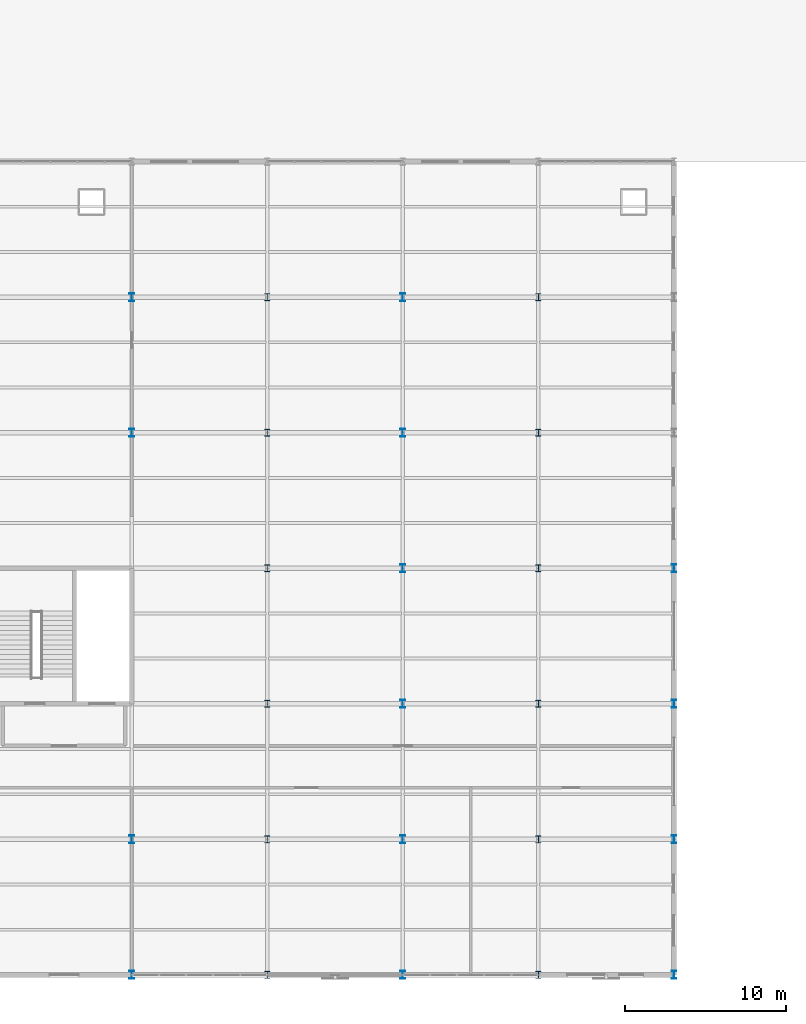
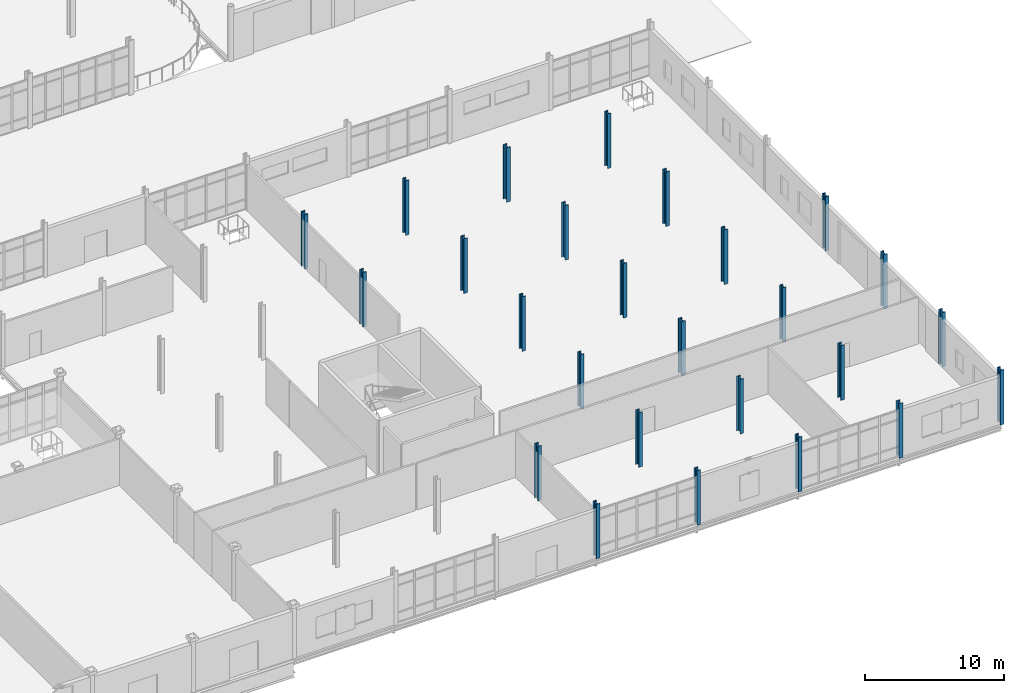
# One storey, part 17 of 145: 26 columns.
"""IFC4 building model written with IfcOpenShell, lengths in metres."""

from ifc_helpers import new_model, si_unit, direction, frame, origin, origin_2d, place, context, subcontext, project, spatial, i_section, extrude, material, material_profile, profile_set, type_object, element, save


model = new_model("IFC4")

# Units and contexts
model_context = context("Model", 3, precision=1e-05, world=origin(), true_north=direction((0.0, 1.0)))
body_context = subcontext(model_context, "Body", "Model", "MODEL_VIEW")
ifc_project = project(units=[si_unit("LENGTHUNIT", "METRE"), si_unit("AREAUNIT", "SQUARE_METRE"), si_unit("VOLUMEUNIT", "CUBIC_METRE"), si_unit("PLANEANGLEUNIT", "RADIAN"), si_unit("MASSUNIT", "GRAM", prefix="KILO")], contexts=[model_context])

# Site, building, storey
site_placement = place(None, origin())
site = spatial("IfcSite", under=ifc_project, at=site_placement, CompositionType="ELEMENT")
building_placement = place(site_placement, origin())
building = spatial("IfcBuilding", under=site, at=building_placement, Name="Qalvenar Corner Mobility Hub", CompositionType="ELEMENT")
storey_placement = place(building_placement, origin())
storey = spatial("IfcBuildingStorey", under=building, at=storey_placement, Name="L00", CompositionType="ELEMENT", Elevation=0.0)

# Columns
ifc_material = material(Name="Steel S355", Category="steel")
ifc_material_profile_1 = material_profile(ifc_material, i_section(OverallWidth=0.300048828125, OverallDepth=0.449951171875, WebThickness=0.013916015625, FlangeThickness=0.02587890625, FilletRadius=0.027099609375, at=origin_2d()), Name="HEB450")
ifc_profile_set_1 = profile_set([ifc_material_profile_1], Name="Steel S355")
column_type_1 = type_object("IfcColumnType", Name="COL-HEB450", PredefinedType="COLUMN", material=ifc_profile_set_1)
for number, where, z_axis, x_axis, name in (
    (1, (142.800048828125, 0.0, 0.0), (0.0, 0.0, 1.0), (1.0, 0.0, 0.0), "Steel Column L00-G18-0"),
    (2, (142.800048828125, 8.39990234375, 0.0), (0.0, 0.0, 1.0), (1.0, 0.0, 0.0), "Steel Column L00-G18-1"),
    (3, (142.800048828125, 16.800048828125, 0.0), (0.0, 0.0, 1.0), (1.0, 0.0, 0.0), "Steel Column L00-G18-2"),
    (4, (142.800048828125, 25.199951171875, 0.0), (0.0, 0.0, 1.0), (1.0, 0.0, 0.0), "Steel Column L00-G18-3"),
    (5, (142.800048828125, 33.60009765625, 0.0), (0.0, 0.0, 1.0), (1.0, 0.0, 0.0), "Steel Column L00-G18-4"),
    (6, (142.800048828125, 42.0, 0.0), (0.0, 0.0, 1.0), (1.0, 0.0, 0.0), "Steel Column L00-G18-5"),
    (7, (159.60009765625, 0.0, 0.0), (0.0, 0.0, 1.0), (1.0, 0.0, 0.0), "Steel Column L00-G20-0"),
    (8, (159.60009765625, 8.39990234375, 0.0), (0.0, 0.0, 1.0), (1.0, 0.0, 0.0), "Steel Column L00-G20-1"),
    (9, (159.60009765625, 16.800048828125, 0.0), (0.0, 0.0, 1.0), (1.0, 0.0, 0.0), "Steel Column L00-G20-2"),
    (10, (159.60009765625, 25.199951171875, 0.0), (0.0, 0.0, 1.0), (1.0, 0.0, 0.0), "Steel Column L00-G20-3"),
    (11, (159.60009765625, 33.60009765625, 0.0), (0.0, 0.0, 1.0), (1.0, 0.0, 0.0), "Steel Column L00-G20-4"),
    (12, (159.60009765625, 42.0, 0.0), (0.0, 0.0, 1.0), (1.0, 0.0, 0.0), "Steel Column L00-G20-5"),
):
    element("IfcColumn", number, at=place(storey_placement, frame(where, z_axis=z_axis, x_axis=x_axis)), inside=storey, type_object=column_type_1, Name=name, PredefinedType="COLUMN", context=body_context, shape_type="SweptSolid", body=[
        extrude(i_section(OverallWidth=0.300048828125, OverallDepth=0.449951171875, WebThickness=0.013916015625, FlangeThickness=0.02587890625, FilletRadius=0.027099609375, at=origin_2d()), origin(), (0.0, 0.0, 1.0), 4.800048828125),
    ])
ifc_material_profile_2 = material_profile(ifc_material, i_section(OverallWidth=0.300048828125, OverallDepth=0.5, WebThickness=0.014404296875, FlangeThickness=0.028076171875, FilletRadius=0.027099609375, at=origin_2d()), Name="HEB500")
ifc_profile_set_2 = profile_set([ifc_material_profile_2], Name="Steel S355")
column_type_2 = type_object("IfcColumnType", Name="COL-HEB500", PredefinedType="COLUMN", material=ifc_profile_set_2)
for number, where, z_axis, x_axis, name in (
    (13, (134.39990234375, 0.0, 0.0), (0.0, 0.0, 1.0), (1.0, 0.0, 0.0), "Steel Column L00-G17-0"),
    (14, (134.39990234375, 8.39990234375, 0.0), (0.0, 0.0, 1.0), (1.0, 0.0, 0.0), "Steel Column L00-G17-1"),
    (15, (134.39990234375, 33.60009765625, 0.0), (0.0, 0.0, 1.0), (1.0, 0.0, 0.0), "Steel Column L00-G17-4"),
    (16, (134.39990234375, 42.0, 0.0), (0.0, 0.0, 1.0), (1.0, 0.0, 0.0), "Steel Column L00-G17-5"),
    (17, (151.199951171875, 0.0, 0.0), (0.0, 0.0, 1.0), (1.0, 0.0, 0.0), "Steel Column L00-G19-0"),
    (18, (151.199951171875, 8.39990234375, 0.0), (0.0, 0.0, 1.0), (1.0, 0.0, 0.0), "Steel Column L00-G19-1"),
    (19, (151.199951171875, 16.800048828125, 0.0), (0.0, 0.0, 1.0), (1.0, 0.0, 0.0), "Steel Column L00-G19-2"),
    (20, (151.199951171875, 25.199951171875, 0.0), (0.0, 0.0, 1.0), (1.0, 0.0, 0.0), "Steel Column L00-G19-3"),
    (21, (151.199951171875, 33.60009765625, 0.0), (0.0, 0.0, 1.0), (1.0, 0.0, 0.0), "Steel Column L00-G19-4"),
    (22, (151.199951171875, 42.0, 0.0), (0.0, 0.0, 1.0), (1.0, 0.0, 0.0), "Steel Column L00-G19-5"),
    (23, (168.0, 0.0, 0.0), (0.0, 0.0, 1.0), (1.0, 0.0, 0.0), "Steel Column L00-G21-0"),
    (24, (168.0, 8.39990234375, 0.0), (0.0, 0.0, 1.0), (1.0, 0.0, 0.0), "Steel Column L00-G21-1"),
    (25, (168.0, 16.800048828125, 0.0), (0.0, 0.0, 1.0), (1.0, 0.0, 0.0), "Steel Column L00-G21-2"),
    (26, (168.0, 25.199951171875, 0.0), (0.0, 0.0, 1.0), (1.0, 0.0, 0.0), "Steel Column L00-G21-3"),
):
    element("IfcColumn", number, at=place(storey_placement, frame(where, z_axis=z_axis, x_axis=x_axis)), inside=storey, type_object=column_type_2, Name=name, PredefinedType="COLUMN", context=body_context, shape_type="SweptSolid", body=[
        extrude(i_section(OverallWidth=0.300048828125, OverallDepth=0.5, WebThickness=0.014404296875, FlangeThickness=0.028076171875, FilletRadius=0.027099609375, at=origin_2d()), origin(), (0.0, 0.0, 1.0), 4.800048828125),
    ])

save(model, "model.ifc")
